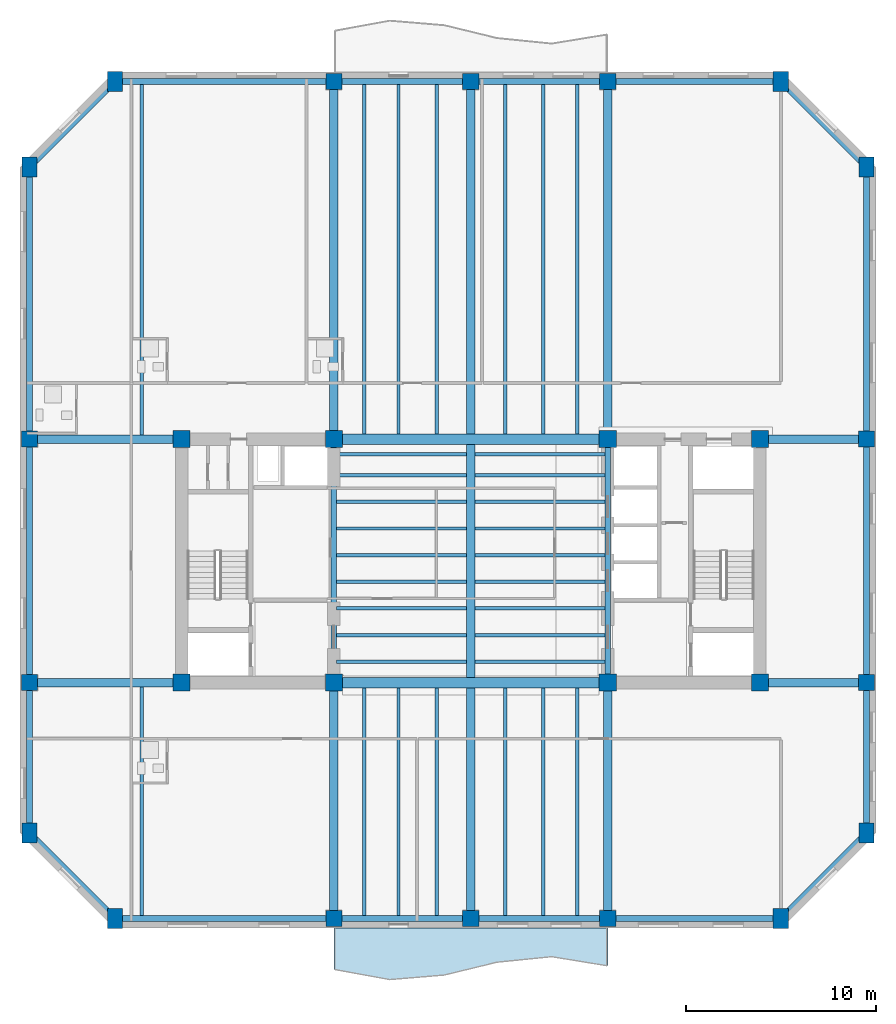
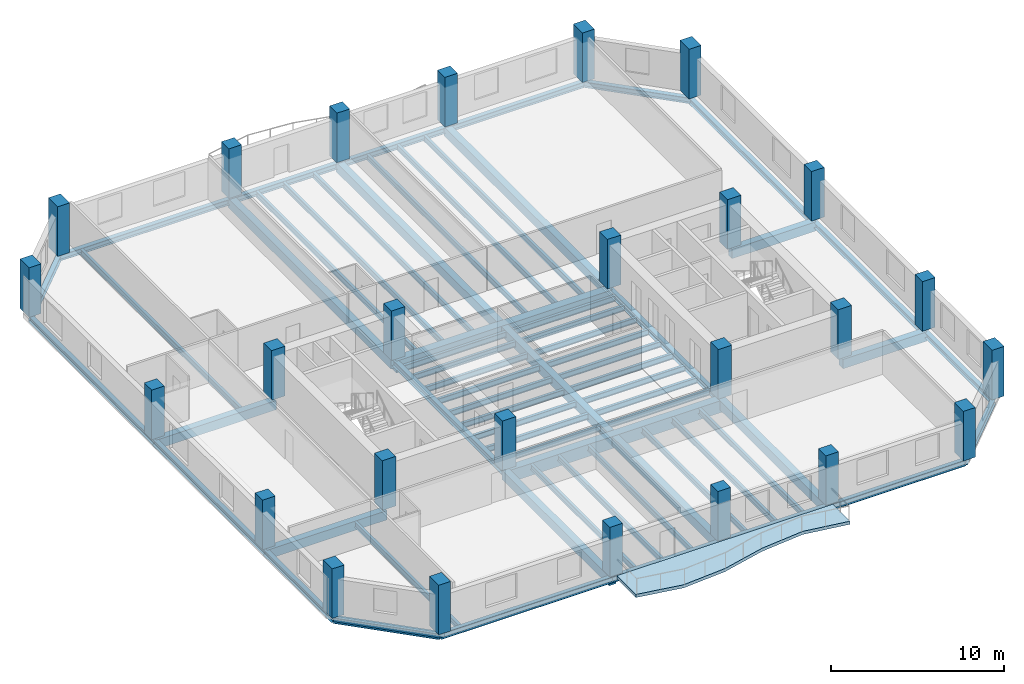
# One storey, part 1 of 9: 65 beams, 26 columns, 1 slab.
"""IFC4 building model written with IfcOpenShell, lengths in metres."""

from ifc_helpers import new_model, si_unit, direction, frame, origin, origin_2d, place, context, subcontext, project, spatial, polyline, rectangle, i_section, outline, extrude, material, layer, layer_set, material_profile, profile_set, type_object, element, save


model = new_model("IFC4")

# Units and contexts
model_context = context("Model", 3, precision=1e-05, world=origin(), true_north=direction((0.0, 1.0)))
body_context = subcontext(model_context, "Body", "Model", "MODEL_VIEW")
ifc_project = project(units=[si_unit("LENGTHUNIT", "METRE"), si_unit("AREAUNIT", "SQUARE_METRE"), si_unit("VOLUMEUNIT", "CUBIC_METRE"), si_unit("PLANEANGLEUNIT", "RADIAN"), si_unit("MASSUNIT", "GRAM", prefix="KILO")], contexts=[model_context])

# Site, building, storey
site_placement = place(None, origin())
site = spatial("IfcSite", under=ifc_project, at=site_placement, CompositionType="ELEMENT")
building_placement = place(site_placement, origin())
building = spatial("IfcBuilding", under=site, at=building_placement, Name="Kranthara Brick Stack", CompositionType="ELEMENT")
storey_placement = place(building_placement, frame((0.0, 0.0, 193.800048828125)))
storey = spatial("IfcBuildingStorey", under=building, at=storey_placement, Name="L50", CompositionType="ELEMENT", Elevation=193.800048828125)

# Columns
ifc_material_1 = material(Name="Concrete C60/75", Category="concrete")
ifc_material_profile_1 = material_profile(ifc_material_1, rectangle(XDim=0.800048828125, YDim=1.050048828125, at=origin_2d()), Name="RC 800x1050")
ifc_profile_set_1 = profile_set([ifc_material_profile_1], Name="Concrete C60/75")
column_type_1 = type_object("IfcColumnType", Name="COL-CHAM-800x1050", PredefinedType="COLUMN", material=ifc_profile_set_1)
for number, where, z_axis, x_axis, name in (
    (1, (9.300048828125, 8.39990234375, 0.0), (0.0, 0.0, 1.0), (1.0, 0.0, 0.0), "L50 Column 09"),
    (2, (9.300048828125, 52.39990234375, 0.0), (0.0, 0.0, 1.0), (1.0, 0.0, 0.0), "L50 Column 10"),
    (3, (44.300048828125, 8.39990234375, 0.0), (0.0, 0.0, 1.0), (1.0, 0.0, 0.0), "L50 Column 17"),
    (4, (44.300048828125, 52.39990234375, 0.0), (0.0, 0.0, 1.0), (1.0, 0.0, 0.0), "L50 Column 18"),
    (5, (4.800048828125, 12.89990234375, 0.0), (0.0, 0.0, 1.0), (1.0, 0.0, 0.0), "L50 Column 19"),
    (6, (48.800048828125, 12.89990234375, 0.0), (0.0, 0.0, 1.0), (1.0, 0.0, 0.0), "L50 Column 20"),
    (7, (4.800048828125, 47.89990234375, 0.0), (0.0, 0.0, 1.0), (1.0, 0.0, 0.0), "L50 Column 25"),
    (8, (48.800048828125, 47.89990234375, 0.0), (0.0, 0.0, 1.0), (1.0, 0.0, 0.0), "L50 Column 26"),
):
    element("IfcColumn", number, at=place(storey_placement, frame(where, z_axis=z_axis, x_axis=x_axis)), inside=storey, type_object=column_type_1, Name=name, PredefinedType="COLUMN", context=body_context, shape_type="SweptSolid", body=[
        extrude(rectangle(XDim=0.800048828125, YDim=1.050048828125, at=origin_2d()), origin(), (0.0, 0.0, 1.0), 3.5),
    ])
ifc_material_2 = material(Name="Concrete C60/75", Category="concrete")
ifc_material_profile_2 = material_profile(ifc_material_2, rectangle(XDim=0.89990234375, YDim=0.89990234375, at=origin_2d()), Name="RC 900x900")
ifc_profile_set_2 = profile_set([ifc_material_profile_2], Name="Concrete C60/75")
column_type_2 = type_object("IfcColumnType", Name="COL-CORE-900", PredefinedType="COLUMN", material=ifc_profile_set_2)
for number, where, z_axis, x_axis, name in (
    (9, (12.800048828125, 20.800048828125, 0.0), (0.0, 0.0, 1.0), (1.0, 0.0, 0.0), "L50 Column 01"),
    (10, (20.800048828125, 20.800048828125, 0.0), (0.0, 0.0, 1.0), (1.0, 0.0, 0.0), "L50 Column 02"),
    (11, (12.800048828125, 33.60009765625, 0.0), (0.0, 0.0, 1.0), (1.0, 0.0, 0.0), "L50 Column 03"),
    (12, (20.800048828125, 33.60009765625, 0.0), (0.0, 0.0, 1.0), (1.0, 0.0, 0.0), "L50 Column 04"),
    (13, (35.199951171875, 20.800048828125, 0.0), (0.0, 0.0, 1.0), (1.0, 0.0, 0.0), "L50 Column 05"),
    (14, (43.199951171875, 20.800048828125, 0.0), (0.0, 0.0, 1.0), (1.0, 0.0, 0.0), "L50 Column 06"),
    (15, (35.199951171875, 33.60009765625, 0.0), (0.0, 0.0, 1.0), (1.0, 0.0, 0.0), "L50 Column 07"),
    (16, (43.199951171875, 33.60009765625, 0.0), (0.0, 0.0, 1.0), (1.0, 0.0, 0.0), "L50 Column 08"),
):
    element("IfcColumn", number, at=place(storey_placement, frame(where, z_axis=z_axis, x_axis=x_axis)), inside=storey, type_object=column_type_2, Name=name, PredefinedType="COLUMN", context=body_context, shape_type="SweptSolid", body=[
        extrude(rectangle(XDim=0.89990234375, YDim=0.89990234375, at=origin_2d()), origin(), (0.0, 0.0, 1.0), 3.5),
    ])
ifc_material_3 = material(Name="Concrete C50/60", Category="concrete")
ifc_material_profile_3 = material_profile(ifc_material_3, rectangle(XDim=0.85009765625, YDim=0.85009765625, at=origin_2d()), Name="RC 850x850")
ifc_profile_set_3 = profile_set([ifc_material_profile_3], Name="Concrete C50/60")
column_type_3 = type_object("IfcColumnType", Name="COL-PER-850", PredefinedType="COLUMN", material=ifc_profile_set_3)
for number, where, z_axis, x_axis, name in (
    (17, (20.800048828125, 8.39990234375, 0.0), (0.0, 0.0, 1.0), (1.0, 0.0, 0.0), "L50 Column 11"),
    (18, (20.800048828125, 52.39990234375, 0.0), (0.0, 0.0, 1.0), (1.0, 0.0, 0.0), "L50 Column 12"),
    (19, (28.0, 8.39990234375, 0.0), (0.0, 0.0, 1.0), (1.0, 0.0, 0.0), "L50 Column 13"),
    (20, (28.0, 52.39990234375, 0.0), (0.0, 0.0, 1.0), (1.0, 0.0, 0.0), "L50 Column 14"),
    (21, (35.199951171875, 8.39990234375, 0.0), (0.0, 0.0, 1.0), (1.0, 0.0, 0.0), "L50 Column 15"),
    (22, (35.199951171875, 52.39990234375, 0.0), (0.0, 0.0, 1.0), (1.0, 0.0, 0.0), "L50 Column 16"),
    (23, (4.800048828125, 20.800048828125, 0.0), (0.0, 0.0, 1.0), (1.0, 0.0, 0.0), "L50 Column 21"),
    (24, (48.800048828125, 20.800048828125, 0.0), (0.0, 0.0, 1.0), (1.0, 0.0, 0.0), "L50 Column 22"),
    (25, (4.800048828125, 33.60009765625, 0.0), (0.0, 0.0, 1.0), (1.0, 0.0, 0.0), "L50 Column 23"),
    (26, (48.800048828125, 33.60009765625, 0.0), (0.0, 0.0, 1.0), (1.0, 0.0, 0.0), "L50 Column 24"),
):
    element("IfcColumn", number, at=place(storey_placement, frame(where, z_axis=z_axis, x_axis=x_axis)), inside=storey, type_object=column_type_3, Name=name, PredefinedType="COLUMN", context=body_context, shape_type="SweptSolid", body=[
        extrude(rectangle(XDim=0.85009765625, YDim=0.85009765625, at=origin_2d()), origin(), (0.0, 0.0, 1.0), 3.5),
    ])

# Beams
ifc_material_4 = material(Name="Concrete C50/60", Category="concrete")
ifc_material_profile_4 = material_profile(ifc_material_4, rectangle(XDim=0.550048828125, YDim=0.85009765625, at=origin_2d()), Name="RC 550x850")
ifc_profile_set_4 = profile_set([ifc_material_profile_4], Name="Concrete C50/60")
beam_type_1 = type_object("IfcBeamType", Name="BM-CPL-RC850", PredefinedType="LINTEL", material=ifc_profile_set_4)
for number, where, z_axis, x_axis, name in (
    (27, (20.800048828125, 20.800048828125, -0.72509765625), (1.0, 0.0, 0.0), (0.0, 1.0, 0.0), "L50 Core Coupling Beam 001"),
    (28, (20.800048828125, 33.60009765625, -0.72509765625), (1.0, 0.0, 0.0), (0.0, 1.0, 0.0), "L50 Core Coupling Beam 002"),
):
    element("IfcBeam", number, at=place(storey_placement, frame(where, z_axis=z_axis, x_axis=x_axis)), inside=storey, type_object=beam_type_1, Name=name, PredefinedType="LINTEL", context=body_context, shape_type="SweptSolid", body=[
        extrude(rectangle(XDim=0.550048828125, YDim=0.85009765625, at=origin_2d()), origin(), (0.0, 0.0, 1.0), 14.39990234375),
    ])
ifc_material_5 = material(Name="Post-tensioned concrete C45/55", Category="concrete")
ifc_material_profile_5 = material_profile(ifc_material_5, rectangle(XDim=0.449951171875, YDim=0.64990234375, at=origin_2d()), Name="PT 450x650")
ifc_profile_set_5 = profile_set([ifc_material_profile_5], Name="Post-tensioned concrete C45/55")
beam_type_2 = type_object("IfcBeamType", Name="BM-FLR-PT650", PredefinedType="BEAM", material=ifc_profile_set_5)
beam_1_placement = place(storey_placement, frame((20.800048828125, 8.39990234375, -0.625), z_axis=(0.0, 1.0, 0.0), x_axis=(-1.0, 0.0, 0.0)))
element("IfcBeam", 29, at=beam_1_placement, inside=storey, type_object=beam_type_2, Name="L50 Primary Grid Girder 023", PredefinedType="BEAM", context=body_context, shape_type="SweptSolid", body=[
    extrude(rectangle(XDim=0.449951171875, YDim=0.64990234375, at=origin_2d()), origin(), (0.0, 0.0, 1.0), 12.400146484375),
])
beam_2_placement = place(storey_placement, frame((20.800048828125, 33.60009765625, -0.625), z_axis=(0.0, 1.0, 0.0), x_axis=(-1.0, 0.0, 0.0)))
element("IfcBeam", 30, at=beam_2_placement, inside=storey, type_object=beam_type_2, Name="L50 Primary Grid Girder 024", PredefinedType="BEAM", context=body_context, shape_type="SweptSolid", body=[
    extrude(rectangle(XDim=0.449951171875, YDim=0.64990234375, at=origin_2d()), origin(), (0.0, 0.0, 1.0), 18.7998046875),
])
beam_3_placement = place(storey_placement, frame((28.0, 8.39990234375, -0.625), z_axis=(0.0, 1.0, 0.0), x_axis=(-1.0, 0.0, 0.0)))
element("IfcBeam", 31, at=beam_3_placement, inside=storey, type_object=beam_type_2, Name="L50 Primary Grid Girder 025", PredefinedType="BEAM", context=body_context, shape_type="SweptSolid", body=[
    extrude(rectangle(XDim=0.449951171875, YDim=0.64990234375, at=origin_2d()), origin(), (0.0, 0.0, 1.0), 12.125),
])
beam_4_placement = place(storey_placement, frame((28.0, 21.074951171875, -0.625), z_axis=(0.0, 1.0, 0.0), x_axis=(-1.0, 0.0, 0.0)))
element("IfcBeam", 32, at=beam_4_placement, inside=storey, type_object=beam_type_2, Name="L50 Central Spine Girder 026", PredefinedType="BEAM", context=body_context, shape_type="SweptSolid", body=[
    extrude(rectangle(XDim=0.449951171875, YDim=0.64990234375, at=origin_2d()), origin(), (0.0, 0.0, 1.0), 12.25),
])
beam_5_placement = place(storey_placement, frame((28.0, 33.875, -0.625), z_axis=(0.0, 1.0, 0.0), x_axis=(-1.0, 0.0, 0.0)))
element("IfcBeam", 33, at=beam_5_placement, inside=storey, type_object=beam_type_2, Name="L50 Primary Grid Girder 027", PredefinedType="BEAM", context=body_context, shape_type="SweptSolid", body=[
    extrude(rectangle(XDim=0.449951171875, YDim=0.64990234375, at=origin_2d()), origin(), (0.0, 0.0, 1.0), 18.52490234375),
])
beam_6_placement = place(storey_placement, frame((35.199951171875, 8.39990234375, -0.625), z_axis=(0.0, 1.0, 0.0), x_axis=(-1.0, 0.0, 0.0)))
element("IfcBeam", 34, at=beam_6_placement, inside=storey, type_object=beam_type_2, Name="L50 Primary Grid Girder 028", PredefinedType="BEAM", context=body_context, shape_type="SweptSolid", body=[
    extrude(rectangle(XDim=0.449951171875, YDim=0.64990234375, at=origin_2d()), origin(), (0.0, 0.0, 1.0), 12.400146484375),
])
beam_7_placement = place(storey_placement, frame((35.199951171875, 33.60009765625, -0.625), z_axis=(0.0, 1.0, 0.0), x_axis=(-1.0, 0.0, 0.0)))
element("IfcBeam", 35, at=beam_7_placement, inside=storey, type_object=beam_type_2, Name="L50 Primary Grid Girder 029", PredefinedType="BEAM", context=body_context, shape_type="SweptSolid", body=[
    extrude(rectangle(XDim=0.449951171875, YDim=0.64990234375, at=origin_2d()), origin(), (0.0, 0.0, 1.0), 18.7998046875),
])
beam_8_placement = place(storey_placement, frame((4.800048828125, 20.800048828125, -0.625), z_axis=(1.0, 0.0, 0.0), x_axis=(0.0, 1.0, 0.0)))
element("IfcBeam", 36, at=beam_8_placement, inside=storey, type_object=beam_type_2, Name="L50 Primary Grid Girder 030", PredefinedType="BEAM", context=body_context, shape_type="SweptSolid", body=[
    extrude(rectangle(XDim=0.449951171875, YDim=0.64990234375, at=origin_2d()), origin(), (0.0, 0.0, 1.0), 8.0),
])
beam_9_placement = place(storey_placement, frame((43.199951171875, 20.800048828125, -0.625), z_axis=(1.0, 0.0, 0.0), x_axis=(0.0, 1.0, 0.0)))
element("IfcBeam", 37, at=beam_9_placement, inside=storey, type_object=beam_type_2, Name="L50 Primary Grid Girder 031", PredefinedType="BEAM", context=body_context, shape_type="SweptSolid", body=[
    extrude(rectangle(XDim=0.449951171875, YDim=0.64990234375, at=origin_2d()), origin(), (0.0, 0.0, 1.0), 5.60009765625),
])
beam_10_placement = place(storey_placement, frame((4.800048828125, 33.60009765625, -0.625), z_axis=(1.0, 0.0, 0.0), x_axis=(0.0, 1.0, 0.0)))
element("IfcBeam", 38, at=beam_10_placement, inside=storey, type_object=beam_type_2, Name="L50 Primary Grid Girder 032", PredefinedType="BEAM", context=body_context, shape_type="SweptSolid", body=[
    extrude(rectangle(XDim=0.449951171875, YDim=0.64990234375, at=origin_2d()), origin(), (0.0, 0.0, 1.0), 8.0),
])
beam_11_placement = place(storey_placement, frame((43.199951171875, 33.60009765625, -0.625), z_axis=(1.0, 0.0, 0.0), x_axis=(0.0, 1.0, 0.0)))
element("IfcBeam", 39, at=beam_11_placement, inside=storey, type_object=beam_type_2, Name="L50 Primary Grid Girder 033", PredefinedType="BEAM", context=body_context, shape_type="SweptSolid", body=[
    extrude(rectangle(XDim=0.449951171875, YDim=0.64990234375, at=origin_2d()), origin(), (0.0, 0.0, 1.0), 5.60009765625),
])
ifc_material_6 = material(Name="Steel S355", Category="steel")
ifc_material_profile_6 = material_profile(ifc_material_6, i_section(OverallWidth=0.179931640625, OverallDepth=0.39990234375, WebThickness=0.008544921875, FlangeThickness=0.013427734375, at=origin_2d()), Name="IPE 400")
ifc_profile_set_6 = profile_set([ifc_material_profile_6], Name="Steel S355")
beam_type_3 = type_object("IfcBeamType", Name="BM-JST-IPE400", PredefinedType="JOIST", material=ifc_profile_set_6)
for number, where, z_axis, x_axis, name in (
    (40, (20.949951171875, 21.89990234375, -0.5), (1.0, 0.0, 0.0), (0.0, 1.0, 0.0), "L50 Central Floor Joist 034"),
    (41, (28.22509765625, 21.89990234375, -0.5), (1.0, 0.0, 0.0), (0.0, 1.0, 0.0), "L50 Central Floor Joist 035"),
    (42, (20.949951171875, 23.300048828125, -0.5), (1.0, 0.0, 0.0), (0.0, 1.0, 0.0), "L50 Central Floor Joist 036"),
    (43, (28.22509765625, 23.300048828125, -0.5), (1.0, 0.0, 0.0), (0.0, 1.0, 0.0), "L50 Central Floor Joist 037"),
    (44, (20.949951171875, 24.699951171875, -0.5), (1.0, 0.0, 0.0), (0.0, 1.0, 0.0), "L50 Central Floor Joist 038"),
    (45, (28.22509765625, 24.699951171875, -0.5), (1.0, 0.0, 0.0), (0.0, 1.0, 0.0), "L50 Central Floor Joist 039"),
    (46, (20.949951171875, 26.10009765625, -0.5), (1.0, 0.0, 0.0), (0.0, 1.0, 0.0), "L50 Central Floor Joist 040"),
    (47, (28.22509765625, 26.10009765625, -0.5), (1.0, 0.0, 0.0), (0.0, 1.0, 0.0), "L50 Central Floor Joist 041"),
    (48, (20.949951171875, 27.5, -0.5), (1.0, 0.0, 0.0), (0.0, 1.0, 0.0), "L50 Central Floor Joist 042"),
    (49, (28.22509765625, 27.5, -0.5), (1.0, 0.0, 0.0), (0.0, 1.0, 0.0), "L50 Central Floor Joist 043"),
    (50, (20.949951171875, 28.89990234375, -0.5), (1.0, 0.0, 0.0), (0.0, 1.0, 0.0), "L50 Central Floor Joist 044"),
    (51, (28.22509765625, 28.89990234375, -0.5), (1.0, 0.0, 0.0), (0.0, 1.0, 0.0), "L50 Central Floor Joist 045"),
    (52, (20.949951171875, 30.300048828125, -0.5), (1.0, 0.0, 0.0), (0.0, 1.0, 0.0), "L50 Central Floor Joist 046"),
    (53, (28.22509765625, 30.300048828125, -0.5), (1.0, 0.0, 0.0), (0.0, 1.0, 0.0), "L50 Central Floor Joist 047"),
    (54, (20.949951171875, 31.699951171875, -0.5), (1.0, 0.0, 0.0), (0.0, 1.0, 0.0), "L50 Central Floor Joist 048"),
    (55, (28.22509765625, 31.699951171875, -0.5), (1.0, 0.0, 0.0), (0.0, 1.0, 0.0), "L50 Central Floor Joist 049"),
    (56, (20.949951171875, 32.800048828125, -0.5), (1.0, 0.0, 0.0), (0.0, 1.0, 0.0), "L50 Central Floor Joist 050"),
    (57, (28.22509765625, 32.800048828125, -0.5), (1.0, 0.0, 0.0), (0.0, 1.0, 0.0), "L50 Central Floor Joist 051"),
):
    element("IfcBeam", number, at=place(storey_placement, frame(where, z_axis=z_axis, x_axis=x_axis)), inside=storey, type_object=beam_type_3, Name=name, PredefinedType="JOIST", context=body_context, shape_type="SweptSolid", body=[
        extrude(i_section(OverallWidth=0.179931640625, OverallDepth=0.39990234375, WebThickness=0.008544921875, FlangeThickness=0.013427734375, at=origin_2d()), origin(), (0.0, 0.0, 1.0), 6.824951171875),
    ])
beam_12_placement = place(storey_placement, frame((10.699951171875, 8.550048828125, -0.5), z_axis=(0.0, 1.0, 0.0), x_axis=(-1.0, 0.0, 0.0)))
element("IfcBeam", 58, at=beam_12_placement, inside=storey, type_object=beam_type_3, Name="L50 South Wing Floor Joist 052", PredefinedType="JOIST", context=body_context, shape_type="SweptSolid", body=[
    extrude(i_section(OverallWidth=0.179931640625, OverallDepth=0.39990234375, WebThickness=0.008544921875, FlangeThickness=0.013427734375, at=origin_2d()), origin(), (0.0, 0.0, 1.0), 12.02490234375),
])
beam_13_placement = place(storey_placement, frame((10.699951171875, 33.824951171875, -0.5), z_axis=(0.0, 1.0, 0.0), x_axis=(-1.0, 0.0, 0.0)))
element("IfcBeam", 59, at=beam_13_placement, inside=storey, type_object=beam_type_3, Name="L50 North Wing Floor Joist 053", PredefinedType="JOIST", context=body_context, shape_type="SweptSolid", body=[
    extrude(i_section(OverallWidth=0.179931640625, OverallDepth=0.39990234375, WebThickness=0.008544921875, FlangeThickness=0.013427734375, at=origin_2d()), origin(), (0.0, 0.0, 1.0), 18.425048828125),
])
beam_14_placement = place(storey_placement, frame((22.39990234375, 8.550048828125, -0.5), z_axis=(0.0, 1.0, 0.0), x_axis=(-1.0, 0.0, 0.0)))
element("IfcBeam", 60, at=beam_14_placement, inside=storey, type_object=beam_type_3, Name="L50 South Wing Floor Joist 054", PredefinedType="JOIST", context=body_context, shape_type="SweptSolid", body=[
    extrude(i_section(OverallWidth=0.179931640625, OverallDepth=0.39990234375, WebThickness=0.008544921875, FlangeThickness=0.013427734375, at=origin_2d()), origin(), (0.0, 0.0, 1.0), 11.974853515625),
])
beam_15_placement = place(storey_placement, frame((22.39990234375, 33.875, -0.5), z_axis=(0.0, 1.0, 0.0), x_axis=(-1.0, 0.0, 0.0)))
element("IfcBeam", 61, at=beam_15_placement, inside=storey, type_object=beam_type_3, Name="L50 North Wing Floor Joist 055", PredefinedType="JOIST", context=body_context, shape_type="SweptSolid", body=[
    extrude(i_section(OverallWidth=0.179931640625, OverallDepth=0.39990234375, WebThickness=0.008544921875, FlangeThickness=0.013427734375, at=origin_2d()), origin(), (0.0, 0.0, 1.0), 18.375),
])
beam_16_placement = place(storey_placement, frame((24.199951171875, 8.550048828125, -0.5), z_axis=(0.0, 1.0, 0.0), x_axis=(-1.0, 0.0, 0.0)))
element("IfcBeam", 62, at=beam_16_placement, inside=storey, type_object=beam_type_3, Name="L50 South Wing Floor Joist 056", PredefinedType="JOIST", context=body_context, shape_type="SweptSolid", body=[
    extrude(i_section(OverallWidth=0.179931640625, OverallDepth=0.39990234375, WebThickness=0.008544921875, FlangeThickness=0.013427734375, at=origin_2d()), origin(), (0.0, 0.0, 1.0), 11.974853515625),
])
beam_17_placement = place(storey_placement, frame((24.199951171875, 33.875, -0.5), z_axis=(0.0, 1.0, 0.0), x_axis=(-1.0, 0.0, 0.0)))
element("IfcBeam", 63, at=beam_17_placement, inside=storey, type_object=beam_type_3, Name="L50 North Wing Floor Joist 057", PredefinedType="JOIST", context=body_context, shape_type="SweptSolid", body=[
    extrude(i_section(OverallWidth=0.179931640625, OverallDepth=0.39990234375, WebThickness=0.008544921875, FlangeThickness=0.013427734375, at=origin_2d()), origin(), (0.0, 0.0, 1.0), 18.375),
])
beam_18_placement = place(storey_placement, frame((26.199951171875, 8.550048828125, -0.5), z_axis=(0.0, 1.0, 0.0), x_axis=(-1.0, 0.0, 0.0)))
element("IfcBeam", 64, at=beam_18_placement, inside=storey, type_object=beam_type_3, Name="L50 South Wing Floor Joist 058", PredefinedType="JOIST", context=body_context, shape_type="SweptSolid", body=[
    extrude(i_section(OverallWidth=0.179931640625, OverallDepth=0.39990234375, WebThickness=0.008544921875, FlangeThickness=0.013427734375, at=origin_2d()), origin(), (0.0, 0.0, 1.0), 11.974853515625),
])
beam_19_placement = place(storey_placement, frame((26.199951171875, 33.875, -0.5), z_axis=(0.0, 1.0, 0.0), x_axis=(-1.0, 0.0, 0.0)))
element("IfcBeam", 65, at=beam_19_placement, inside=storey, type_object=beam_type_3, Name="L50 North Wing Floor Joist 059", PredefinedType="JOIST", context=body_context, shape_type="SweptSolid", body=[
    extrude(i_section(OverallWidth=0.179931640625, OverallDepth=0.39990234375, WebThickness=0.008544921875, FlangeThickness=0.013427734375, at=origin_2d()), origin(), (0.0, 0.0, 1.0), 18.375),
])
beam_20_placement = place(storey_placement, frame((29.800048828125, 8.550048828125, -0.5), z_axis=(0.0, 1.0, 0.0), x_axis=(-1.0, 0.0, 0.0)))
element("IfcBeam", 66, at=beam_20_placement, inside=storey, type_object=beam_type_3, Name="L50 South Wing Floor Joist 060", PredefinedType="JOIST", context=body_context, shape_type="SweptSolid", body=[
    extrude(i_section(OverallWidth=0.179931640625, OverallDepth=0.39990234375, WebThickness=0.008544921875, FlangeThickness=0.013427734375, at=origin_2d()), origin(), (0.0, 0.0, 1.0), 11.974853515625),
])
beam_21_placement = place(storey_placement, frame((29.800048828125, 33.875, -0.5), z_axis=(0.0, 1.0, 0.0), x_axis=(-1.0, 0.0, 0.0)))
element("IfcBeam", 67, at=beam_21_placement, inside=storey, type_object=beam_type_3, Name="L50 North Wing Floor Joist 061", PredefinedType="JOIST", context=body_context, shape_type="SweptSolid", body=[
    extrude(i_section(OverallWidth=0.179931640625, OverallDepth=0.39990234375, WebThickness=0.008544921875, FlangeThickness=0.013427734375, at=origin_2d()), origin(), (0.0, 0.0, 1.0), 18.375),
])
beam_22_placement = place(storey_placement, frame((31.800048828125, 8.550048828125, -0.5), z_axis=(0.0, 1.0, 0.0), x_axis=(-1.0, 0.0, 0.0)))
element("IfcBeam", 68, at=beam_22_placement, inside=storey, type_object=beam_type_3, Name="L50 South Wing Floor Joist 062", PredefinedType="JOIST", context=body_context, shape_type="SweptSolid", body=[
    extrude(i_section(OverallWidth=0.179931640625, OverallDepth=0.39990234375, WebThickness=0.008544921875, FlangeThickness=0.013427734375, at=origin_2d()), origin(), (0.0, 0.0, 1.0), 11.974853515625),
])
beam_23_placement = place(storey_placement, frame((31.800048828125, 33.875, -0.5), z_axis=(0.0, 1.0, 0.0), x_axis=(-1.0, 0.0, 0.0)))
element("IfcBeam", 69, at=beam_23_placement, inside=storey, type_object=beam_type_3, Name="L50 North Wing Floor Joist 063", PredefinedType="JOIST", context=body_context, shape_type="SweptSolid", body=[
    extrude(i_section(OverallWidth=0.179931640625, OverallDepth=0.39990234375, WebThickness=0.008544921875, FlangeThickness=0.013427734375, at=origin_2d()), origin(), (0.0, 0.0, 1.0), 18.375),
])
beam_24_placement = place(storey_placement, frame((33.60009765625, 8.550048828125, -0.5), z_axis=(0.0, 1.0, 0.0), x_axis=(-1.0, 0.0, 0.0)))
element("IfcBeam", 70, at=beam_24_placement, inside=storey, type_object=beam_type_3, Name="L50 South Wing Floor Joist 064", PredefinedType="JOIST", context=body_context, shape_type="SweptSolid", body=[
    extrude(i_section(OverallWidth=0.179931640625, OverallDepth=0.39990234375, WebThickness=0.008544921875, FlangeThickness=0.013427734375, at=origin_2d()), origin(), (0.0, 0.0, 1.0), 11.974853515625),
])
beam_25_placement = place(storey_placement, frame((33.60009765625, 33.875, -0.5), z_axis=(0.0, 1.0, 0.0), x_axis=(-1.0, 0.0, 0.0)))
element("IfcBeam", 71, at=beam_25_placement, inside=storey, type_object=beam_type_3, Name="L50 North Wing Floor Joist 065", PredefinedType="JOIST", context=body_context, shape_type="SweptSolid", body=[
    extrude(i_section(OverallWidth=0.179931640625, OverallDepth=0.39990234375, WebThickness=0.008544921875, FlangeThickness=0.013427734375, at=origin_2d()), origin(), (0.0, 0.0, 1.0), 18.375),
])
ifc_material_7 = material(Name="Steel S355", Category="steel")
ifc_material_profile_7 = material_profile(ifc_material_7, i_section(OverallWidth=0.300048828125, OverallDepth=0.39990234375, WebThickness=0.013427734375, FlangeThickness=0.02392578125, at=origin_2d()), Name="HEB 400")
ifc_profile_set_7 = profile_set([ifc_material_profile_7], Name="Steel S355")
beam_type_4 = type_object("IfcBeamType", Name="BM-STL-HEB400", PredefinedType="SPANDREL", material=ifc_profile_set_7)
beam_26_placement = place(storey_placement, frame((9.300048828125, 8.39990234375, -0.5), z_axis=(1.0, 0.0, 0.0), x_axis=(0.0, 1.0, 0.0)))
element("IfcBeam", 72, at=beam_26_placement, inside=storey, type_object=beam_type_4, Name="L50 Perimeter Spandrel Beam 005", PredefinedType="SPANDREL", context=body_context, shape_type="SweptSolid", body=[
    extrude(i_section(OverallWidth=0.300048828125, OverallDepth=0.39990234375, WebThickness=0.013427734375, FlangeThickness=0.02392578125, at=origin_2d()), origin(), (0.0, 0.0, 1.0), 11.5),
])
for number, where, z_axis, x_axis, name in (
    (73, (20.800048828125, 8.39990234375, -0.5), (1.0, 0.0, 0.0), (0.0, 1.0, 0.0), "L50 Perimeter Spandrel Beam 006"),
    (74, (28.0, 8.39990234375, -0.5), (1.0, 0.0, 0.0), (0.0, 1.0, 0.0), "L50 Perimeter Spandrel Beam 007"),
):
    element("IfcBeam", number, at=place(storey_placement, frame(where, z_axis=z_axis, x_axis=x_axis)), inside=storey, type_object=beam_type_4, Name=name, PredefinedType="SPANDREL", context=body_context, shape_type="SweptSolid", body=[
        extrude(i_section(OverallWidth=0.300048828125, OverallDepth=0.39990234375, WebThickness=0.013427734375, FlangeThickness=0.02392578125, at=origin_2d()), origin(), (0.0, 0.0, 1.0), 7.199951171875),
    ])
beam_27_placement = place(storey_placement, frame((35.199951171875, 8.39990234375, -0.5), z_axis=(1.0, 0.0, 0.0), x_axis=(0.0, 1.0, 0.0)))
element("IfcBeam", 75, at=beam_27_placement, inside=storey, type_object=beam_type_4, Name="L50 Perimeter Spandrel Beam 008", PredefinedType="SPANDREL", context=body_context, shape_type="SweptSolid", body=[
    extrude(i_section(OverallWidth=0.300048828125, OverallDepth=0.39990234375, WebThickness=0.013427734375, FlangeThickness=0.02392578125, at=origin_2d()), origin(), (0.0, 0.0, 1.0), 9.10009765625),
])
beam_28_placement = place(storey_placement, frame((9.300048828125, 52.39990234375, -0.5), z_axis=(1.0, 0.0, 0.0), x_axis=(0.0, 1.0, 0.0)))
element("IfcBeam", 76, at=beam_28_placement, inside=storey, type_object=beam_type_4, Name="L50 Perimeter Spandrel Beam 009", PredefinedType="SPANDREL", context=body_context, shape_type="SweptSolid", body=[
    extrude(i_section(OverallWidth=0.300048828125, OverallDepth=0.39990234375, WebThickness=0.013427734375, FlangeThickness=0.02392578125, at=origin_2d()), origin(), (0.0, 0.0, 1.0), 11.5),
])
for number, where, z_axis, x_axis, name in (
    (77, (20.800048828125, 52.39990234375, -0.5), (1.0, 0.0, 0.0), (0.0, 1.0, 0.0), "L50 Perimeter Spandrel Beam 010"),
    (78, (28.0, 52.39990234375, -0.5), (1.0, 0.0, 0.0), (0.0, 1.0, 0.0), "L50 Perimeter Spandrel Beam 011"),
):
    element("IfcBeam", number, at=place(storey_placement, frame(where, z_axis=z_axis, x_axis=x_axis)), inside=storey, type_object=beam_type_4, Name=name, PredefinedType="SPANDREL", context=body_context, shape_type="SweptSolid", body=[
        extrude(i_section(OverallWidth=0.300048828125, OverallDepth=0.39990234375, WebThickness=0.013427734375, FlangeThickness=0.02392578125, at=origin_2d()), origin(), (0.0, 0.0, 1.0), 7.199951171875),
    ])
beam_29_placement = place(storey_placement, frame((35.199951171875, 52.39990234375, -0.5), z_axis=(1.0, 0.0, 0.0), x_axis=(0.0, 1.0, 0.0)))
element("IfcBeam", 79, at=beam_29_placement, inside=storey, type_object=beam_type_4, Name="L50 Perimeter Spandrel Beam 012", PredefinedType="SPANDREL", context=body_context, shape_type="SweptSolid", body=[
    extrude(i_section(OverallWidth=0.300048828125, OverallDepth=0.39990234375, WebThickness=0.013427734375, FlangeThickness=0.02392578125, at=origin_2d()), origin(), (0.0, 0.0, 1.0), 9.10009765625),
])
beam_30_placement = place(storey_placement, frame((4.800048828125, 12.89990234375, -0.5), z_axis=(0.0, 1.0, 0.0), x_axis=(-1.0, 0.0, 0.0)))
element("IfcBeam", 80, at=beam_30_placement, inside=storey, type_object=beam_type_4, Name="L50 Perimeter Spandrel Beam 013", PredefinedType="SPANDREL", context=body_context, shape_type="SweptSolid", body=[
    extrude(i_section(OverallWidth=0.300048828125, OverallDepth=0.39990234375, WebThickness=0.013427734375, FlangeThickness=0.02392578125, at=origin_2d()), origin(), (0.0, 0.0, 1.0), 7.900146484375),
])
beam_31_placement = place(storey_placement, frame((4.800048828125, 20.800048828125, -0.5), z_axis=(0.0, 1.0, 0.0), x_axis=(-1.0, 0.0, 0.0)))
element("IfcBeam", 81, at=beam_31_placement, inside=storey, type_object=beam_type_4, Name="L50 Perimeter Spandrel Beam 014", PredefinedType="SPANDREL", context=body_context, shape_type="SweptSolid", body=[
    extrude(i_section(OverallWidth=0.300048828125, OverallDepth=0.39990234375, WebThickness=0.013427734375, FlangeThickness=0.02392578125, at=origin_2d()), origin(), (0.0, 0.0, 1.0), 12.800048828125),
])
beam_32_placement = place(storey_placement, frame((4.800048828125, 33.60009765625, -0.5), z_axis=(0.0, 1.0, 0.0), x_axis=(-1.0, 0.0, 0.0)))
element("IfcBeam", 82, at=beam_32_placement, inside=storey, type_object=beam_type_4, Name="L50 Perimeter Spandrel Beam 015", PredefinedType="SPANDREL", context=body_context, shape_type="SweptSolid", body=[
    extrude(i_section(OverallWidth=0.300048828125, OverallDepth=0.39990234375, WebThickness=0.013427734375, FlangeThickness=0.02392578125, at=origin_2d()), origin(), (0.0, 0.0, 1.0), 14.2998046875),
])
beam_33_placement = place(storey_placement, frame((48.800048828125, 12.89990234375, -0.5), z_axis=(0.0, 1.0, 0.0), x_axis=(-1.0, 0.0, 0.0)))
element("IfcBeam", 83, at=beam_33_placement, inside=storey, type_object=beam_type_4, Name="L50 Perimeter Spandrel Beam 016", PredefinedType="SPANDREL", context=body_context, shape_type="SweptSolid", body=[
    extrude(i_section(OverallWidth=0.300048828125, OverallDepth=0.39990234375, WebThickness=0.013427734375, FlangeThickness=0.02392578125, at=origin_2d()), origin(), (0.0, 0.0, 1.0), 7.900146484375),
])
beam_34_placement = place(storey_placement, frame((48.800048828125, 20.800048828125, -0.5), z_axis=(0.0, 1.0, 0.0), x_axis=(-1.0, 0.0, 0.0)))
element("IfcBeam", 84, at=beam_34_placement, inside=storey, type_object=beam_type_4, Name="L50 Perimeter Spandrel Beam 017", PredefinedType="SPANDREL", context=body_context, shape_type="SweptSolid", body=[
    extrude(i_section(OverallWidth=0.300048828125, OverallDepth=0.39990234375, WebThickness=0.013427734375, FlangeThickness=0.02392578125, at=origin_2d()), origin(), (0.0, 0.0, 1.0), 12.800048828125),
])
beam_35_placement = place(storey_placement, frame((48.800048828125, 33.60009765625, -0.5), z_axis=(0.0, 1.0, 0.0), x_axis=(-1.0, 0.0, 0.0)))
element("IfcBeam", 85, at=beam_35_placement, inside=storey, type_object=beam_type_4, Name="L50 Perimeter Spandrel Beam 018", PredefinedType="SPANDREL", context=body_context, shape_type="SweptSolid", body=[
    extrude(i_section(OverallWidth=0.300048828125, OverallDepth=0.39990234375, WebThickness=0.013427734375, FlangeThickness=0.02392578125, at=origin_2d()), origin(), (0.0, 0.0, 1.0), 14.2998046875),
])
for number, where, z_axis, x_axis, name in (
    (86, (9.300048828125, 8.39990234375, -0.5), (-0.707106781187, 0.707106781187, 0.0), (-0.707106781187, -0.707106781187, 0.0), "L50 Chamfer Corner Spandrel 019"),
    (87, (44.300048828125, 8.39990234375, -0.5), (0.707106781187, 0.707106781187, 0.0), (-0.707106781187, 0.707106781187, 0.0), "L50 Chamfer Corner Spandrel 020"),
    (88, (9.300048828125, 52.39990234375, -0.5), (-0.707106781187, -0.707106781187, 0.0), (0.707106781187, -0.707106781187, 0.0), "L50 Chamfer Corner Spandrel 021"),
    (89, (44.300048828125, 52.39990234375, -0.5), (0.707106781187, -0.707106781187, 0.0), (0.707106781187, 0.707106781187, 0.0), "L50 Chamfer Corner Spandrel 022"),
):
    element("IfcBeam", number, at=place(storey_placement, frame(where, z_axis=z_axis, x_axis=x_axis)), inside=storey, type_object=beam_type_4, Name=name, PredefinedType="SPANDREL", context=body_context, shape_type="SweptSolid", body=[
        extrude(i_section(OverallWidth=0.300048828125, OverallDepth=0.39990234375, WebThickness=0.013427734375, FlangeThickness=0.02392578125, at=origin_2d()), origin(), (0.0, 0.0, 1.0), 6.364013671875),
    ])
ifc_material_8 = material(Name="Steel S355", Category="steel")
ifc_material_profile_8 = material_profile(ifc_material_8, i_section(OverallWidth=0.300048828125, OverallDepth=0.449951171875, WebThickness=0.013916015625, FlangeThickness=0.02587890625, at=origin_2d()), Name="HEB 450")
ifc_profile_set_8 = profile_set([ifc_material_profile_8], Name="Steel S355")
beam_type_5 = type_object("IfcBeamType", Name="BM-STL-HEB450", PredefinedType="SPANDREL", material=ifc_profile_set_8)
for number, where, z_axis, x_axis, name in (
    (90, (20.800048828125, 20.800048828125, -0.525146484375), (0.0, 1.0, 0.0), (-1.0, 0.0, 0.0), "L50 Core Edge Tie Beam 003"),
    (91, (35.199951171875, 20.800048828125, -0.525146484375), (0.0, 1.0, 0.0), (-1.0, 0.0, 0.0), "L50 Core Edge Tie Beam 004"),
):
    element("IfcBeam", number, at=place(storey_placement, frame(where, z_axis=z_axis, x_axis=x_axis)), inside=storey, type_object=beam_type_5, Name=name, PredefinedType="SPANDREL", context=body_context, shape_type="SweptSolid", body=[
        extrude(i_section(OverallWidth=0.300048828125, OverallDepth=0.449951171875, WebThickness=0.013916015625, FlangeThickness=0.02587890625, at=origin_2d()), origin(), (0.0, 0.0, 1.0), 12.800048828125),
    ])

# Slab
ifc_material_9 = material(Name="Concrete C45/55", Category="concrete")
ifc_layer = layer(ifc_material_9, 0.219970703125)
ifc_layer_set = layer_set([ifc_layer], Name="Concrete C45/55")
slab_type = type_object("IfcSlabType", Name="SLB-BALC-220", PredefinedType="FLOOR", material=ifc_layer_set)
slab_placement = place(storey_placement, frame((0.0, 0.0, -0.219970703125)))
element("IfcSlab", 92, at=slab_placement, inside=storey, type_object=slab_type, Name="L50 South Rippling Balcony Slab", PredefinedType="FLOOR", context=body_context, shape_type="SweptSolid", body=[
    extrude(outline(polyline([(20.800048828125, 7.89990234375), (35.199951171875, 7.89990234375), (35.199951171875, 5.9150390625), (32.320068359375, 6.392578125), (29.43994140625, 6.093505859375), (26.56005859375, 5.393798828125), (23.679931640625, 5.173583984375), (20.800048828125, 5.709716796875), (20.800048828125, 7.89990234375)])), origin(), (0.0, 0.0, 1.0), 0.219970703125),
])

save(model, "model.ifc")
